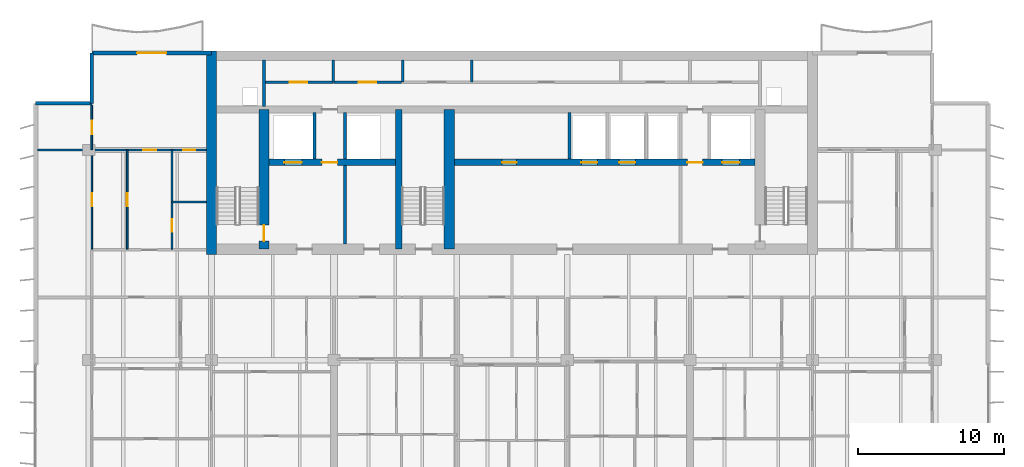
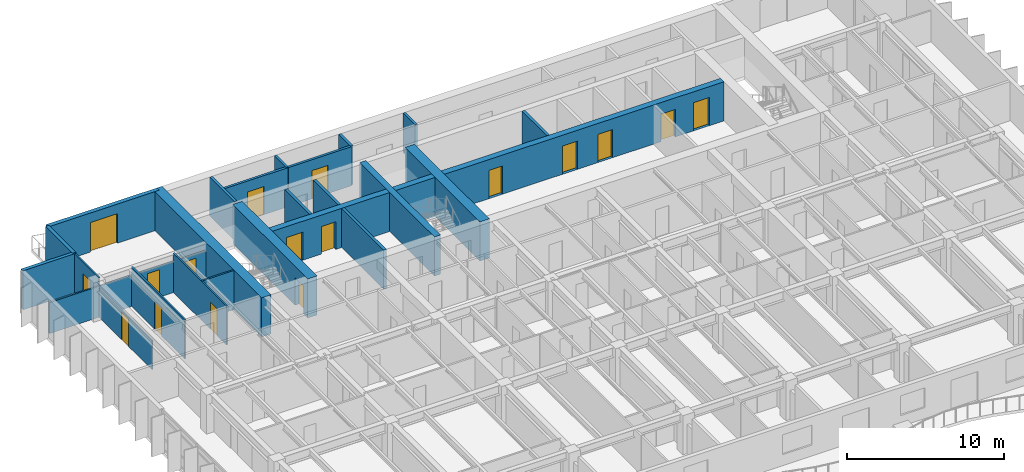
# One storey, part 13 of 19: 24 walls, 17 doors, 17 openings.
"""IFC4 building model written with IfcOpenShell, lengths in metres."""

from ifc_helpers import new_model, si_unit, direction, frame, frame_2d, origin, place, context, subcontext, project, spatial, rectangle, extrude, material, layer, layer_set, type_object, element, fill, save


model = new_model("IFC4")

# Units and contexts
model_context = context("Model", 3, precision=1e-05, world=origin(), true_north=direction((0.0, 1.0)))
body_context = subcontext(model_context, "Body", "Model", "MODEL_VIEW")
ifc_project = project(units=[si_unit("LENGTHUNIT", "METRE"), si_unit("AREAUNIT", "SQUARE_METRE"), si_unit("VOLUMEUNIT", "CUBIC_METRE"), si_unit("PLANEANGLEUNIT", "RADIAN"), si_unit("MASSUNIT", "GRAM", prefix="KILO")], contexts=[model_context])

# Site, building, storey
site_placement = place(None, origin())
site = spatial("IfcSite", under=ifc_project, at=site_placement, CompositionType="ELEMENT")
building_placement = place(site_placement, origin())
building = spatial("IfcBuilding", under=site, at=building_placement, Name="Caelmar Bay Residences", CompositionType="ELEMENT")
storey_placement = place(building_placement, frame((0.0, 0.0, 167.10009765625)))
storey = spatial("IfcBuildingStorey", under=building, at=storey_placement, Name="L46", CompositionType="ELEMENT", Elevation=167.10009765625)

# Wall
ifc_material_1 = material(Name="Concrete f'c 55 MPa (8,000 psi)", Category="concrete")
ifc_layer_1 = layer(ifc_material_1, 0.699951171875)
ifc_layer_set_1 = layer_set([ifc_layer_1], Name="Concrete f'c 55 MPa (8,000 psi)")
wall_type_1 = type_object("IfcWallType", Name="SW-COR-700", PredefinedType="SHEAR", material=ifc_layer_set_1)
wall_1_placement = place(storey_placement, frame((18.300048828125, 36.64990234375, 0.0), z_axis=(0.0, 0.0, 1.0), x_axis=(0.0, 1.0, 0.0)))
element("IfcWall", 1, at=wall_1_placement, inside=storey, type_object=wall_type_1, Name="L46 Rear Core West Shear Wall", PredefinedType="SHEAR", context=body_context, shape_type="SweptSolid", body=[
    extrude(rectangle(XDim=13.9501953125, YDim=0.699951171875, at=frame_2d((6.97509765625, 0.0))), origin(), (0.0, 0.0, 1.0), 3.0498046875),
])

# Wall, opening, door
wall_2_placement = place(storey_placement, frame((21.89990234375, 37.0, 0.0), z_axis=(0.0, 0.0, 1.0), x_axis=(0.0, 1.0, 0.0)))
wall_2 = element("IfcWall", 2, at=wall_2_placement, inside=storey, type_object=wall_type_1, Name="L46 Core Structural Web Wall ST1E", PredefinedType="SHEAR", context=body_context, shape_type="SweptSolid", body=[
    extrude(rectangle(XDim=9.574951171875, YDim=0.699951171875, at=frame_2d((4.78759765625, 0.0))), origin(), (0.0, 0.0, 1.0), 3.0498046875),
])
opening_1_placement = place(wall_2_placement, frame((0.550048828125, 0.0, 0.0)))
opening_1 = element("IfcOpeningElement", 3, at=opening_1_placement, cuts=wall_2, Name="Opening D-L46-107", PredefinedType="OPENING", context=body_context, shape_type="SweptSolid", body=[
    extrude(rectangle(XDim=1.10009765625, YDim=2.14990234375, at=frame_2d((0.550048828125, 1.074951171875))), frame((0.0, 0.35986328125, 0.0), z_axis=(0.0, -1.0, 0.0), x_axis=(1.0, 0.0, 0.0)), (0.0, 0.0, 1.0), 0.719970703125),
])
ifc_material_2 = material(Name="Fire-rated steel and walnut architectural door assembly", Category="steel")
ifc_layer_2 = layer(ifc_material_2, 0.050048828125)
ifc_layer_set_2 = layer_set([ifc_layer_2], Name="Fire-rated steel and walnut architectural door assembly")
door_type_1 = type_object("IfcDoorType", Name="D-STAIR-1100", OperationType="NOTDEFINED", PredefinedType="DOOR", material=ifc_layer_set_2)
door_1_placement = place(opening_1_placement, origin())
door_1 = element("IfcDoor", 4, at=door_1_placement, inside=storey, type_object=door_type_1, Name="L46 Firefighting Lobby West Door", OperationType="SINGLE_SWING_RIGHT", OverallHeight=2.14990234375, OverallWidth=1.10009765625, PredefinedType="DOOR", context=body_context, shape_type="SweptSolid", body=[
    extrude(rectangle(XDim=1.10009765625, YDim=2.14990234375, at=frame_2d((0.550048828125, 1.074951171875))), frame((0.0, 0.02490234375, 0.0), z_axis=(0.0, -1.0, 0.0), x_axis=(1.0, 0.0, 0.0)), (0.0, 0.0, 1.0), 0.050048828125),
])
fill(opening_1, door_1)

# Walls
wall_3_placement = place(storey_placement, frame((34.60009765625, 37.0, 0.0), z_axis=(0.0, 0.0, 1.0), x_axis=(0.0, 1.0, 0.0)))
element("IfcWall", 5, at=wall_3_placement, inside=storey, type_object=wall_type_1, Name="L46 Core Structural Web Wall ST3E", PredefinedType="SHEAR", context=body_context, shape_type="SweptSolid", body=[
    extrude(rectangle(XDim=9.574951171875, YDim=0.699951171875, at=frame_2d((4.78759765625, 0.0))), origin(), (0.0, 0.0, 1.0), 3.0498046875),
])
ifc_material_3 = material(Name="Concrete f'c 70 MPa (10,000 psi)", Category="concrete")
ifc_layer_3 = layer(ifc_material_3, 0.449951171875)
ifc_layer_set_3 = layer_set([ifc_layer_3], Name="Concrete f'c 70 MPa (10,000 psi)")
wall_type_2 = type_object("IfcWallType", Name="SW-WEB-450", PredefinedType="SHEAR", material=ifc_layer_set_3)
wall_4_placement = place(storey_placement, frame((31.125, 37.0, 0.0), z_axis=(0.0, 0.0, 1.0), x_axis=(0.0, 1.0, 0.0)))
element("IfcWall", 6, at=wall_4_placement, inside=storey, type_object=wall_type_2, Name="L46 Core Structural Web Wall ST3W", PredefinedType="SHEAR", context=body_context, shape_type="SweptSolid", body=[
    extrude(rectangle(XDim=9.574951171875, YDim=0.449951171875, at=frame_2d((4.78759765625, 0.0))), origin(), (0.0, 0.0, 1.0), 3.0498046875),
])

# Wall, openings, doors
wall_5_placement = place(storey_placement, frame((22.25, 42.949951171875, 0.0), z_axis=(0.0, 0.0, 1.0), x_axis=(1.0, 0.0, 0.0)))
wall_5 = element("IfcWall", 7, at=wall_5_placement, inside=storey, type_object=wall_type_2, Name="L46 Core Structural Web Wall LFR", PredefinedType="SHEAR", context=body_context, shape_type="SweptSolid", body=[
    extrude(rectangle(XDim=33.300048828125, YDim=0.449951171875, at=frame_2d((16.64990234375, 0.0))), origin(), (0.0, 0.0, 1.0), 3.0498046875),
])
opening_2_placement = place(wall_5_placement, frame((1.050048828125, 0.0, 0.0)))
opening_2 = element("IfcOpeningElement", 8, at=opening_2_placement, cuts=wall_5, Name="Opening LD2", PredefinedType="OPENING", context=body_context, shape_type="SweptSolid", body=[
    extrude(rectangle(XDim=1.199951171875, YDim=2.199951171875, at=frame_2d((0.60009765625, 1.10009765625))), frame((0.0, 0.23486328125, 0.0), z_axis=(0.0, -1.0, 0.0), x_axis=(1.0, 0.0, 0.0)), (0.0, 0.0, 1.0), 0.469970703125),
])
opening_3_placement = place(wall_5_placement, frame((31.050048828125, 0.0, 0.0)))
opening_3 = element("IfcOpeningElement", 9, at=opening_3_placement, cuts=wall_5, Name="Opening LD2", PredefinedType="OPENING", context=body_context, shape_type="SweptSolid", body=[
    extrude(rectangle(XDim=1.199951171875, YDim=2.199951171875, at=frame_2d((0.60009765625, 1.10009765625))), frame((0.0, 0.23486328125, 0.0), z_axis=(0.0, -1.0, 0.0), x_axis=(1.0, 0.0, 0.0)), (0.0, 0.0, 1.0), 0.469970703125),
])
opening_4_placement = place(wall_5_placement, frame((21.39990234375, 0.0, 0.0)))
opening_4 = element("IfcOpeningElement", 10, at=opening_4_placement, cuts=wall_5, Name="Opening LD1", PredefinedType="OPENING", context=body_context, shape_type="SweptSolid", body=[
    extrude(rectangle(XDim=1.10009765625, YDim=2.199951171875, at=frame_2d((0.550048828125, 1.10009765625))), frame((0.0, 0.23486328125, 0.0), z_axis=(0.0, -1.0, 0.0), x_axis=(1.0, 0.0, 0.0)), (0.0, 0.0, 1.0), 0.469970703125),
])
opening_5_placement = place(wall_5_placement, frame((24.0, 0.0, 0.0)))
opening_5 = element("IfcOpeningElement", 11, at=opening_5_placement, cuts=wall_5, Name="Opening LD1", PredefinedType="OPENING", context=body_context, shape_type="SweptSolid", body=[
    extrude(rectangle(XDim=1.10009765625, YDim=2.199951171875, at=frame_2d((0.550048828125, 1.10009765625))), frame((0.0, 0.23486328125, 0.0), z_axis=(0.0, -1.0, 0.0), x_axis=(1.0, 0.0, 0.0)), (0.0, 0.0, 1.0), 0.469970703125),
])
opening_6_placement = place(wall_5_placement, frame((3.625, 0.0, 0.0)))
opening_6 = element("IfcOpeningElement", 12, at=opening_6_placement, cuts=wall_5, Name="Opening D-L46-108", PredefinedType="OPENING", context=body_context, shape_type="SweptSolid", body=[
    extrude(rectangle(XDim=1.050048828125, YDim=2.14990234375, at=frame_2d((0.52490234375, 1.074951171875))), frame((0.0, 0.23486328125, 0.0), z_axis=(0.0, -1.0, 0.0), x_axis=(1.0, 0.0, 0.0)), (0.0, 0.0, 1.0), 0.469970703125),
])
opening_7_placement = place(wall_5_placement, frame((28.675048828125, 0.0, 0.0)))
opening_7 = element("IfcOpeningElement", 13, at=opening_7_placement, cuts=wall_5, Name="Opening D-L46-111", PredefinedType="OPENING", context=body_context, shape_type="SweptSolid", body=[
    extrude(rectangle(XDim=1.050048828125, YDim=2.14990234375, at=frame_2d((0.52490234375, 1.074951171875))), frame((0.0, 0.23486328125, 0.0), z_axis=(0.0, -1.0, 0.0), x_axis=(1.0, 0.0, 0.0)), (0.0, 0.0, 1.0), 0.469970703125),
])
opening_8_placement = place(wall_5_placement, frame((15.97509765625, 0.0, 0.0)))
opening_8 = element("IfcOpeningElement", 14, at=opening_8_placement, cuts=wall_5, Name="Opening D-L46-114", PredefinedType="OPENING", context=body_context, shape_type="SweptSolid", body=[
    extrude(rectangle(XDim=1.0, YDim=2.199951171875, at=frame_2d((0.5, 1.10009765625))), frame((0.0, 0.23486328125, 0.0), z_axis=(0.0, -1.0, 0.0), x_axis=(1.0, 0.0, 0.0)), (0.0, 0.0, 1.0), 0.469970703125),
])
ifc_layer_4 = layer(ifc_material_2, 0.050048828125)
ifc_layer_set_4 = layer_set([ifc_layer_4], Name="Fire-rated steel and walnut architectural door assembly")
door_type_2 = type_object("IfcDoorType", Name="D-FSAE-1050", OperationType="NOTDEFINED", PredefinedType="DOOR", material=ifc_layer_set_4)
door_2_placement = place(opening_6_placement, origin())
door_2 = element("IfcDoor", 15, at=door_2_placement, inside=storey, type_object=door_type_2, Name="L46 Firefighting Lobby West Door", OperationType="SINGLE_SWING_LEFT", OverallHeight=2.14990234375, OverallWidth=1.050048828125, PredefinedType="DOOR", context=body_context, shape_type="SweptSolid", body=[
    extrude(rectangle(XDim=1.050048828125, YDim=2.14990234375, at=frame_2d((0.52490234375, 1.074951171875))), frame((0.0, 0.02490234375, 0.0), z_axis=(0.0, -1.0, 0.0), x_axis=(1.0, 0.0, 0.0)), (0.0, 0.0, 1.0), 0.050048828125),
])
fill(opening_6, door_2)
door_3_placement = place(opening_7_placement, origin())
door_3 = element("IfcDoor", 16, at=door_3_placement, inside=storey, type_object=door_type_2, Name="L46 Firefighting Lobby East Door", OperationType="SINGLE_SWING_RIGHT", OverallHeight=2.14990234375, OverallWidth=1.050048828125, PredefinedType="DOOR", context=body_context, shape_type="SweptSolid", body=[
    extrude(rectangle(XDim=1.050048828125, YDim=2.14990234375, at=frame_2d((0.52490234375, 1.074951171875))), frame((0.0, 0.02490234375, 0.0), z_axis=(0.0, -1.0, 0.0), x_axis=(1.0, 0.0, 0.0)), (0.0, 0.0, 1.0), 0.050048828125),
])
fill(opening_7, door_3)
ifc_material_4 = material(Name="Brushed bronze stainless-steel fire-rated lift landing doors", Category="steel")
ifc_layer_5 = layer(ifc_material_4, 0.050048828125)
ifc_layer_set_5 = layer_set([ifc_layer_5], Name="Brushed bronze stainless-steel fire-rated lift landing doors")
door_type_3 = type_object("IfcDoorType", Name="D-LND-1100", OperationType="DOUBLE_DOOR_SLIDING", PredefinedType="DOOR", material=ifc_layer_set_5)
door_4_placement = place(opening_4_placement, origin())
door_4 = element("IfcDoor", 17, at=door_4_placement, inside=storey, type_object=door_type_3, Name="L46 LP4 Sliding Landing Door", OperationType="DOUBLE_DOOR_SLIDING", OverallHeight=2.199951171875, OverallWidth=1.10009765625, PredefinedType="DOOR", context=body_context, shape_type="SweptSolid", body=[
    extrude(rectangle(XDim=1.10009765625, YDim=2.199951171875, at=frame_2d((0.550048828125, 1.10009765625))), frame((0.0, 0.02490234375, 0.0), z_axis=(0.0, -1.0, 0.0), x_axis=(1.0, 0.0, 0.0)), (0.0, 0.0, 1.0), 0.050048828125),
])
fill(opening_4, door_4)
door_5_placement = place(opening_5_placement, origin())
door_5 = element("IfcDoor", 18, at=door_5_placement, inside=storey, type_object=door_type_3, Name="L46 LP5 Sliding Landing Door", OperationType="DOUBLE_DOOR_SLIDING", OverallHeight=2.199951171875, OverallWidth=1.10009765625, PredefinedType="DOOR", context=body_context, shape_type="SweptSolid", body=[
    extrude(rectangle(XDim=1.10009765625, YDim=2.199951171875, at=frame_2d((0.550048828125, 1.10009765625))), frame((0.0, 0.02490234375, 0.0), z_axis=(0.0, -1.0, 0.0), x_axis=(1.0, 0.0, 0.0)), (0.0, 0.0, 1.0), 0.050048828125),
])
fill(opening_5, door_5)
ifc_material_5 = material(Name="Brushed stainless-steel FSAE sliding landing door", Category="steel")
ifc_layer_6 = layer(ifc_material_5, 0.050048828125)
ifc_layer_set_6 = layer_set([ifc_layer_6], Name="Brushed stainless-steel FSAE sliding landing door")
door_type_4 = type_object("IfcDoorType", Name="D-LND-1200", OperationType="DOUBLE_DOOR_SLIDING", PredefinedType="DOOR", material=ifc_layer_set_6)
door_6_placement = place(opening_2_placement, origin())
door_6 = element("IfcDoor", 19, at=door_6_placement, inside=storey, type_object=door_type_4, Name="L46 LF1 Sliding Landing Door", OperationType="DOUBLE_DOOR_SLIDING", OverallHeight=2.199951171875, OverallWidth=1.199951171875, PredefinedType="DOOR", context=body_context, shape_type="SweptSolid", body=[
    extrude(rectangle(XDim=1.199951171875, YDim=2.199951171875, at=frame_2d((0.60009765625, 1.10009765625))), frame((0.0, 0.02490234375, 0.0), z_axis=(0.0, -1.0, 0.0), x_axis=(1.0, 0.0, 0.0)), (0.0, 0.0, 1.0), 0.050048828125),
])
fill(opening_2, door_6)
door_7_placement = place(opening_3_placement, origin())
door_7 = element("IfcDoor", 20, at=door_7_placement, inside=storey, type_object=door_type_4, Name="L46 LF2 Sliding Landing Door", OperationType="DOUBLE_DOOR_SLIDING", OverallHeight=2.199951171875, OverallWidth=1.199951171875, PredefinedType="DOOR", context=body_context, shape_type="SweptSolid", body=[
    extrude(rectangle(XDim=1.199951171875, YDim=2.199951171875, at=frame_2d((0.60009765625, 1.10009765625))), frame((0.0, 0.02490234375, 0.0), z_axis=(0.0, -1.0, 0.0), x_axis=(1.0, 0.0, 0.0)), (0.0, 0.0, 1.0), 0.050048828125),
])
fill(opening_3, door_7)
ifc_layer_7 = layer(ifc_material_2, 0.050048828125)
ifc_layer_set_7 = layer_set([ifc_layer_7], Name="Fire-rated steel and walnut architectural door assembly")
door_type_5 = type_object("IfcDoorType", Name="D-UNIT-1000", OperationType="NOTDEFINED", PredefinedType="DOOR", material=ifc_layer_set_7)
door_8_placement = place(opening_8_placement, origin())
door_8 = element("IfcDoor", 21, at=door_8_placement, inside=storey, type_object=door_type_5, Name="L46 Quiet Reading Study Door", OperationType="SINGLE_SWING_LEFT", OverallHeight=2.199951171875, OverallWidth=1.0, PredefinedType="DOOR", context=body_context, shape_type="SweptSolid", body=[
    extrude(rectangle(XDim=1.0, YDim=2.199951171875, at=frame_2d((0.5, 1.10009765625))), frame((0.0, 0.02490234375, 0.0), z_axis=(0.0, -1.0, 0.0), x_axis=(1.0, 0.0, 0.0)), (0.0, 0.0, 1.0), 0.050048828125),
])
fill(opening_8, door_8)

# Walls
ifc_material_6 = material(Name="Double-stud acoustic fire-rated gypsum partition 180 mm")
ifc_layer_8 = layer(ifc_material_6, 0.179931640625)
ifc_layer_set_8 = layer_set([ifc_layer_8], Name="Double-stud acoustic fire-rated gypsum partition 180 mm")
wall_type_3 = type_object("IfcWallType", Name="W-COR-200", PredefinedType="PARTITIONING", material=ifc_layer_set_8)
for number, where, z_axis, x_axis, name in (
    (22, (26.64990234375, 48.449951171875, 0.0), (0.0, 0.0, 1.0), (0.0, 1.0, 0.0), "L46 Partition Wall V023"),
    (23, (31.39990234375, 48.449951171875, 0.0), (0.0, 0.0, 1.0), (0.0, 1.0, 0.0), "L46 Partition Wall V034"),
    (24, (36.14990234375, 48.449951171875, 0.0), (0.0, 0.0, 1.0), (0.0, 1.0, 0.0), "L46 Partition Wall V041"),
):
    element("IfcWall", number, at=place(storey_placement, frame(where, z_axis=z_axis, x_axis=x_axis)), inside=storey, type_object=wall_type_3, Name=name, PredefinedType="PARTITIONING", context=body_context, shape_type="SweptSolid", body=[
        extrude(rectangle(XDim=1.505126953125, YDim=0.179931640625, at=frame_2d((0.75244140625, 0.0))), origin(), (0.0, 0.0, 1.0), 3.0498046875),
    ])

# Wall, opening, door
wall_6_placement = place(storey_placement, frame((21.89990234375, 48.449951171875, 0.0), z_axis=(0.0, 0.0, 1.0), x_axis=(1.0, 0.0, 0.0)))
wall_6 = element("IfcWall", 25, at=wall_6_placement, inside=storey, type_object=wall_type_3, Name="L46 Partition Wall H126", PredefinedType="PARTITIONING", context=body_context, shape_type="SweptSolid", body=[
    extrude(rectangle(XDim=4.75, YDim=0.179931640625, at=frame_2d((2.375, 0.0))), origin(), (0.0, 0.0, 1.0), 3.0498046875),
])
opening_9_placement = place(wall_6_placement, frame((1.77490234375, 0.0, 0.0)))
opening_9 = element("IfcOpeningElement", 26, at=opening_9_placement, cuts=wall_6, Name="Opening D-L46-117", PredefinedType="OPENING", context=body_context, shape_type="SweptSolid", body=[
    extrude(rectangle(XDim=1.199951171875, YDim=2.199951171875, at=frame_2d((0.60009765625, 1.10009765625))), frame((0.0, 0.099853515625, 0.0), z_axis=(0.0, -1.0, 0.0), x_axis=(1.0, 0.0, 0.0)), (0.0, 0.0, 1.0), 0.199951171875),
])
ifc_layer_9 = layer(ifc_material_2, 0.050048828125)
ifc_layer_set_9 = layer_set([ifc_layer_9], Name="Fire-rated steel and walnut architectural door assembly")
door_type_6 = type_object("IfcDoorType", Name="D-PLANT-1200", OperationType="NOTDEFINED", PredefinedType="DOOR", material=ifc_layer_set_9)
door_9_placement = place(opening_9_placement, origin())
door_9 = element("IfcDoor", 27, at=door_9_placement, inside=storey, type_object=door_type_6, Name="L46 Branch Panel Closet Door", OperationType="SINGLE_SWING_RIGHT", OverallHeight=2.199951171875, OverallWidth=1.199951171875, PredefinedType="DOOR", context=body_context, shape_type="SweptSolid", body=[
    extrude(rectangle(XDim=1.199951171875, YDim=2.199951171875, at=frame_2d((0.60009765625, 1.10009765625))), frame((0.0, 0.02490234375, 0.0), z_axis=(0.0, -1.0, 0.0), x_axis=(1.0, 0.0, 0.0)), (0.0, 0.0, 1.0), 0.050048828125),
])
fill(opening_9, door_9)

wall_7_placement = place(storey_placement, frame((26.699951171875, 48.449951171875, 0.0), z_axis=(0.0, 0.0, 1.0), x_axis=(1.0, 0.0, 0.0)))
wall_7 = element("IfcWall", 28, at=wall_7_placement, inside=storey, type_object=wall_type_3, Name="L46 Partition Wall H127", PredefinedType="PARTITIONING", context=body_context, shape_type="SweptSolid", body=[
    extrude(rectangle(XDim=4.6201171875, YDim=0.179931640625, at=frame_2d((2.31005859375, 0.0))), origin(), (0.0, 0.0, 1.0), 3.0498046875),
])
opening_10_placement = place(wall_7_placement, frame((1.7099609375, 0.0, 0.0)))
opening_10 = element("IfcOpeningElement", 29, at=opening_10_placement, cuts=wall_7, Name="Opening D-L46-118", PredefinedType="OPENING", context=body_context, shape_type="SweptSolid", body=[
    extrude(rectangle(XDim=1.199951171875, YDim=2.199951171875, at=frame_2d((0.60009765625, 1.10009765625))), frame((0.0, 0.099853515625, 0.0), z_axis=(0.0, -1.0, 0.0), x_axis=(1.0, 0.0, 0.0)), (0.0, 0.0, 1.0), 0.199951171875),
])
door_10_placement = place(opening_10_placement, origin())
door_10 = element("IfcDoor", 30, at=door_10_placement, inside=storey, type_object=door_type_6, Name="L46 Water Meter Closet Door", OperationType="SINGLE_SWING_LEFT", OverallHeight=2.199951171875, OverallWidth=1.199951171875, PredefinedType="DOOR", context=body_context, shape_type="SweptSolid", body=[
    extrude(rectangle(XDim=1.199951171875, YDim=2.199951171875, at=frame_2d((0.60009765625, 1.10009765625))), frame((0.0, 0.02490234375, 0.0), z_axis=(0.0, -1.0, 0.0), x_axis=(1.0, 0.0, 0.0)), (0.0, 0.0, 1.0), 0.050048828125),
])
fill(opening_10, door_10)

# Walls
ifc_material_7 = material(Name="Precast concrete f'c 40 MPa (6,000 psi)", Category="concrete")
ifc_layer_10 = layer(ifc_material_7, 0.25)
ifc_layer_set_10 = layer_set([ifc_layer_10], Name="Precast concrete f'c 40 MPa (6,000 psi)")
wall_type_4 = type_object("IfcWallType", Name="W-EXT-250", PredefinedType="ELEMENTEDWALL", material=ifc_layer_set_10)
wall_8_placement = place(storey_placement, frame((6.25, 47.0, 0.0), z_axis=(0.0, 0.0, 1.0), x_axis=(1.0, 0.0, 0.0)))
element("IfcWall", 31, at=wall_8_placement, inside=storey, type_object=wall_type_4, Name="L46 NNW-H Notch Wall", PredefinedType="ELEMENTEDWALL", context=body_context, shape_type="SweptSolid", body=[
    extrude(rectangle(XDim=3.85009765625, YDim=0.25, at=frame_2d((1.925048828125, 0.0))), origin(), (0.0, 0.0, 1.0), 3.0498046875),
])
wall_9_placement = place(storey_placement, frame((10.10009765625, 47.0, 0.0), z_axis=(0.0, 0.0, 1.0), x_axis=(0.0, 1.0, 0.0)))
element("IfcWall", 32, at=wall_9_placement, inside=storey, type_object=wall_type_4, Name="L46 NNW-V Notch Wall", PredefinedType="ELEMENTEDWALL", context=body_context, shape_type="SweptSolid", body=[
    extrude(rectangle(XDim=3.449951171875, YDim=0.25, at=frame_2d((1.72509765625, 0.0))), origin(), (0.0, 0.0, 1.0), 3.0498046875),
])

# Wall, opening, door
ifc_layer_11 = layer(ifc_material_7, 0.300048828125)
ifc_layer_set_11 = layer_set([ifc_layer_11], Name="Precast concrete f'c 40 MPa (6,000 psi)")
wall_type_5 = type_object("IfcWallType", Name="W-EXT-300", PredefinedType="STANDARD", material=ifc_layer_set_11)
wall_10_placement = place(storey_placement, frame((10.10009765625, 50.449951171875, 0.0), z_axis=(0.0, 0.0, 1.0), x_axis=(1.0, 0.0, 0.0)))
wall_10 = element("IfcWall", 33, at=wall_10_placement, inside=storey, type_object=wall_type_5, Name="L46 North-West Wing Exterior Wall", PredefinedType="STANDARD", context=body_context, shape_type="SweptSolid", body=[
    extrude(rectangle(XDim=8.199951171875, YDim=0.300048828125, at=frame_2d((4.10009765625, 0.0))), origin(), (0.0, 0.0, 1.0), 3.0498046875),
])
opening_11_placement = place(wall_10_placement, frame((3.10009765625, 0.0, 0.0)))
opening_11 = element("IfcOpeningElement", 34, at=opening_11_placement, cuts=wall_10, Name="Opening L46-BDNW", PredefinedType="OPENING", context=body_context, shape_type="SweptSolid", body=[
    extrude(rectangle(XDim=2.0, YDim=2.300048828125, at=frame_2d((1.0, 1.14990234375))), frame((0.0, 0.159912109375, 0.0), z_axis=(0.0, -1.0, 0.0), x_axis=(1.0, 0.0, 0.0)), (0.0, 0.0, 1.0), 0.320068359375),
])
ifc_material_8 = material(Name="Anodised bronze thermally broken sliding glass door", Category="glass")
ifc_layer_12 = layer(ifc_material_8, 0.050048828125)
ifc_layer_set_12 = layer_set([ifc_layer_12], Name="Anodised bronze thermally broken sliding glass door")
door_type_7 = type_object("IfcDoorType", Name="D-BAL-2000", OperationType="DOUBLE_DOOR_SLIDING", PredefinedType="DOOR", material=ifc_layer_set_12)
door_11_placement = place(opening_11_placement, origin())
door_11 = element("IfcDoor", 35, at=door_11_placement, inside=storey, type_object=door_type_7, Name="L46 North-West Balcony Door", OperationType="DOUBLE_DOOR_SLIDING", OverallHeight=2.300048828125, OverallWidth=2.0, PredefinedType="DOOR", context=body_context, shape_type="SweptSolid", body=[
    extrude(rectangle(XDim=2.0, YDim=2.300048828125, at=frame_2d((1.0, 1.14990234375))), frame((0.0, 0.02490234375, 0.0), z_axis=(0.0, -1.0, 0.0), x_axis=(1.0, 0.0, 0.0)), (0.0, 0.0, 1.0), 0.050048828125),
])
fill(opening_11, door_11)

# Walls
ifc_material_9 = material(Name="Fire-rated masonry and gypsum shaftliner assembly 200 mm", Category="masonry")
ifc_layer_13 = layer(ifc_material_9, 0.199951171875)
ifc_layer_set_13 = layer_set([ifc_layer_13], Name="Fire-rated masonry and gypsum shaftliner assembly 200 mm")
wall_type_6 = type_object("IfcWallType", Name="W-FSAE-200", PredefinedType="PARTITIONING", material=ifc_layer_set_13)
wall_11_placement = place(storey_placement, frame((21.89990234375, 46.794921875, 0.0), z_axis=(0.0, 0.0, 1.0), x_axis=(0.0, 1.0, 0.0)))
element("IfcWall", 36, at=wall_11_placement, inside=storey, type_object=wall_type_6, Name="L46 Partition Wall V018", PredefinedType="PARTITIONING", context=body_context, shape_type="SweptSolid", body=[
    extrude(rectangle(XDim=3.16015625, YDim=0.199951171875, at=frame_2d((1.580078125, 0.0))), origin(), (0.0, 0.0, 1.0), 3.0498046875),
])
wall_12_placement = place(storey_placement, frame((25.35009765625, 43.169921875, 0.0), z_axis=(0.0, 0.0, 1.0), x_axis=(0.0, 1.0, 0.0)))
element("IfcWall", 37, at=wall_12_placement, inside=storey, type_object=wall_type_6, Name="L46 Partition Wall V022", PredefinedType="PARTITIONING", context=body_context, shape_type="SweptSolid", body=[
    extrude(rectangle(XDim=3.18505859375, YDim=0.199951171875, at=frame_2d((1.592529296875, 0.0))), origin(), (0.0, 0.0, 1.0), 3.0498046875),
])
wall_13_placement = place(storey_placement, frame((27.449951171875, 37.344970703125, 0.0), z_axis=(0.0, 0.0, 1.0), x_axis=(0.0, 1.0, 0.0)))
element("IfcWall", 38, at=wall_13_placement, inside=storey, type_object=wall_type_6, Name="L46 Partition Wall V027", PredefinedType="PARTITIONING", context=body_context, shape_type="SweptSolid", body=[
    extrude(rectangle(XDim=5.385009765625, YDim=0.199951171875, at=frame_2d((2.6923828125, 0.0))), origin(), (0.0, 0.0, 1.0), 3.0498046875),
])
for number, where, z_axis, x_axis, name in (
    (39, (27.449951171875, 43.169921875, 0.0), (0.0, 0.0, 1.0), (0.0, 1.0, 0.0), "L46 Partition Wall V028"),
    (40, (42.85009765625, 43.169921875, 0.0), (0.0, 0.0, 1.0), (0.0, 1.0, 0.0), "L46 Partition Wall V053"),
):
    element("IfcWall", number, at=place(storey_placement, frame(where, z_axis=z_axis, x_axis=x_axis)), inside=storey, type_object=wall_type_6, Name=name, PredefinedType="PARTITIONING", context=body_context, shape_type="SweptSolid", body=[
        extrude(rectangle(XDim=3.18505859375, YDim=0.199951171875, at=frame_2d((1.592529296875, 0.0))), origin(), (0.0, 0.0, 1.0), 3.0498046875),
    ])

# Wall, opening, door
ifc_material_10 = material(Name="Anodised bronze framed acoustic sliding study partition 100 mm")
ifc_layer_14 = layer(ifc_material_10, 0.10009765625)
ifc_layer_set_14 = layer_set([ifc_layer_14], Name="Anodised bronze framed acoustic sliding study partition 100 mm")
wall_type_7 = type_object("IfcWallType", Name="W-MOV-100", PredefinedType="MOVABLE", material=ifc_layer_set_14)
wall_14_placement = place(storey_placement, frame((10.10009765625, 37.0, 0.0), z_axis=(0.0, 0.0, 1.0), x_axis=(0.0, 1.0, 0.0)))
wall_14 = element("IfcWall", 41, at=wall_14_placement, inside=storey, type_object=wall_type_7, Name="L46 Partition Wall V006", PredefinedType="MOVABLE", context=body_context, shape_type="SweptSolid", body=[
    extrude(rectangle(XDim=6.800048828125, YDim=0.10009765625, at=frame_2d((3.39990234375, 0.0))), origin(), (0.0, 0.0, 1.0), 2.262939453125),
])
opening_12_placement = place(wall_14_placement, frame((2.949951171875, 0.0, 0.0)))
opening_12 = element("IfcOpeningElement", 42, at=opening_12_placement, cuts=wall_14, Name="Opening D-L46-170", PredefinedType="OPENING", context=body_context, shape_type="SweptSolid", body=[
    extrude(rectangle(XDim=0.89990234375, YDim=2.14990234375, at=frame_2d((0.449951171875, 1.074951171875))), frame((0.0, 0.06005859375, 0.0), z_axis=(0.0, -1.0, 0.0), x_axis=(1.0, 0.0, 0.0)), (0.0, 0.0, 1.0), 0.1201171875),
])
ifc_material_11 = material(Name="Solid walnut timber interior door leaf and frame", Category="wood")
ifc_layer_15 = layer(ifc_material_11, 0.050048828125)
ifc_layer_set_15 = layer_set([ifc_layer_15], Name="Solid walnut timber interior door leaf and frame")
door_type_8 = type_object("IfcDoorType", Name="D-ROOM-900", OperationType="NOTDEFINED", PredefinedType="DOOR", material=ifc_layer_set_15)
door_12_placement = place(opening_12_placement, origin())
door_12 = element("IfcDoor", 43, at=door_12_placement, inside=storey, type_object=door_type_8, Name="L46 Residence WA Sun Study Door", OperationType="SINGLE_SWING_LEFT", OverallHeight=2.14990234375, OverallWidth=0.89990234375, PredefinedType="DOOR", context=body_context, shape_type="SweptSolid", body=[
    extrude(rectangle(XDim=0.89990234375, YDim=2.14990234375, at=frame_2d((0.449951171875, 1.074951171875))), frame((0.0, 0.02490234375, 0.0), z_axis=(0.0, -1.0, 0.0), x_axis=(1.0, 0.0, 0.0)), (0.0, 0.0, 1.0), 0.050048828125),
])
fill(opening_12, door_12)

ifc_material_12 = material(Name="Acoustic metal-stud gypsum partition 120 mm")
ifc_layer_16 = layer(ifc_material_12, 0.1201171875)
ifc_layer_set_16 = layer_set([ifc_layer_16], Name="Acoustic metal-stud gypsum partition 120 mm")
wall_type_8 = type_object("IfcWallType", Name="W-PRT-120", PredefinedType="PARTITIONING", material=ifc_layer_set_16)
wall_15_placement = place(storey_placement, frame((10.10009765625, 43.804931640625, 0.0), z_axis=(0.0, 0.0, 1.0), x_axis=(0.0, 1.0, 0.0)))
wall_15 = element("IfcWall", 44, at=wall_15_placement, inside=storey, type_object=wall_type_8, Name="L46 Partition Wall V007", PredefinedType="PARTITIONING", context=body_context, shape_type="SweptSolid", body=[
    extrude(rectangle(XDim=3.074951171875, YDim=0.1201171875, at=frame_2d((1.53759765625, 0.0))), origin(), (0.0, 0.0, 1.0), 3.0498046875),
])
opening_13_placement = place(wall_15_placement, frame((1.08740234375, 0.0, 0.0)))
opening_13 = element("IfcOpeningElement", 45, at=opening_13_placement, cuts=wall_15, Name="Opening D-L46-171", PredefinedType="OPENING", context=body_context, shape_type="SweptSolid", body=[
    extrude(rectangle(XDim=0.89990234375, YDim=2.14990234375, at=frame_2d((0.449951171875, 1.074951171875))), frame((0.0, 0.070068359375, 0.0), z_axis=(0.0, -1.0, 0.0), x_axis=(1.0, 0.0, 0.0)), (0.0, 0.0, 1.0), 0.14013671875),
])
door_13_placement = place(opening_13_placement, origin())
door_13 = element("IfcDoor", 46, at=door_13_placement, inside=storey, type_object=door_type_8, Name="L46 Residence WA North Sitting Alcove Door", OperationType="SINGLE_SWING_RIGHT", OverallHeight=2.14990234375, OverallWidth=0.89990234375, PredefinedType="DOOR", context=body_context, shape_type="SweptSolid", body=[
    extrude(rectangle(XDim=0.89990234375, YDim=2.14990234375, at=frame_2d((0.449951171875, 1.074951171875))), frame((0.0, 0.02490234375, 0.0), z_axis=(0.0, -1.0, 0.0), x_axis=(1.0, 0.0, 0.0)), (0.0, 0.0, 1.0), 0.050048828125),
])
fill(opening_13, door_13)

wall_16_placement = place(storey_placement, frame((12.52001953125, 37.0, 0.0), z_axis=(0.0, 0.0, 1.0), x_axis=(0.0, 1.0, 0.0)))
wall_16 = element("IfcWall", 47, at=wall_16_placement, inside=storey, type_object=wall_type_8, Name="L46 Partition Wall V008", PredefinedType="PARTITIONING", context=body_context, shape_type="SweptSolid", body=[
    extrude(rectangle(XDim=6.800048828125, YDim=0.1201171875, at=frame_2d((3.39990234375, 0.0))), origin(), (0.0, 0.0, 1.0), 3.0498046875),
])
opening_14_placement = place(wall_16_placement, frame((2.949951171875, 0.0, 0.0)))
opening_14 = element("IfcOpeningElement", 48, at=opening_14_placement, cuts=wall_16, Name="Opening D-L46-165", PredefinedType="OPENING", context=body_context, shape_type="SweptSolid", body=[
    extrude(rectangle(XDim=0.89990234375, YDim=2.14990234375, at=frame_2d((0.449951171875, 1.074951171875))), frame((0.0, 0.070068359375, 0.0), z_axis=(0.0, -1.0, 0.0), x_axis=(1.0, 0.0, 0.0)), (0.0, 0.0, 1.0), 0.14013671875),
])
door_14_placement = place(opening_14_placement, origin())
door_14 = element("IfcDoor", 49, at=door_14_placement, inside=storey, type_object=door_type_8, Name="L46 Residence WA Dining Room Door", OperationType="SINGLE_SWING_RIGHT", OverallHeight=2.14990234375, OverallWidth=0.89990234375, PredefinedType="DOOR", context=body_context, shape_type="SweptSolid", body=[
    extrude(rectangle(XDim=0.89990234375, YDim=2.14990234375, at=frame_2d((0.449951171875, 1.074951171875))), frame((0.0, 0.02490234375, 0.0), z_axis=(0.0, -1.0, 0.0), x_axis=(1.0, 0.0, 0.0)), (0.0, 0.0, 1.0), 0.050048828125),
])
fill(opening_14, door_14)

wall_17_placement = place(storey_placement, frame((15.60009765625, 37.0, 0.0), z_axis=(0.0, 0.0, 1.0), x_axis=(0.0, 1.0, 0.0)))
wall_17 = element("IfcWall", 50, at=wall_17_placement, inside=storey, type_object=wall_type_8, Name="L46 Partition Wall V009", PredefinedType="PARTITIONING", context=body_context, shape_type="SweptSolid", body=[
    extrude(rectangle(XDim=6.800048828125, YDim=0.1201171875, at=frame_2d((3.39990234375, 0.0))), origin(), (0.0, 0.0, 1.0), 3.0498046875),
])
opening_15_placement = place(wall_17_placement, frame((1.194091796875, 0.0, 0.0)))
opening_15 = element("IfcOpeningElement", 51, at=opening_15_placement, cuts=wall_17, Name="Opening D-L46-168", PredefinedType="OPENING", context=body_context, shape_type="SweptSolid", body=[
    extrude(rectangle(XDim=0.85009765625, YDim=2.10009765625, at=frame_2d((0.425048828125, 1.050048828125))), frame((0.0, 0.070068359375, 0.0), z_axis=(0.0, -1.0, 0.0), x_axis=(1.0, 0.0, 0.0)), (0.0, 0.0, 1.0), 0.14013671875),
])
ifc_layer_17 = layer(ifc_material_11, 0.050048828125)
ifc_layer_set_17 = layer_set([ifc_layer_17], Name="Solid walnut timber interior door leaf and frame")
door_type_9 = type_object("IfcDoorType", Name="D-BATH-850", OperationType="NOTDEFINED", PredefinedType="DOOR", material=ifc_layer_set_17)
door_15_placement = place(opening_15_placement, origin())
door_15 = element("IfcDoor", 52, at=door_15_placement, inside=storey, type_object=door_type_9, Name="L46 Residence WA Walk-In Closet Door", OperationType="SINGLE_SWING_LEFT", OverallHeight=2.10009765625, OverallWidth=0.85009765625, PredefinedType="DOOR", context=body_context, shape_type="SweptSolid", body=[
    extrude(rectangle(XDim=0.85009765625, YDim=2.10009765625, at=frame_2d((0.425048828125, 1.050048828125))), frame((0.0, 0.02490234375, 0.0), z_axis=(0.0, -1.0, 0.0), x_axis=(1.0, 0.0, 0.0)), (0.0, 0.0, 1.0), 0.050048828125),
])
fill(opening_15, door_15)

# Wall
wall_18_placement = place(storey_placement, frame((15.60009765625, 40.238037109375, 0.0), z_axis=(0.0, 0.0, 1.0), x_axis=(1.0, 0.0, 0.0)))
element("IfcWall", 53, at=wall_18_placement, inside=storey, type_object=wall_type_8, Name="L46 Partition Wall H122", PredefinedType="PARTITIONING", context=body_context, shape_type="SweptSolid", body=[
    extrude(rectangle(XDim=2.35498046875, YDim=0.1201171875, at=frame_2d((1.177490234375, 0.0))), origin(), (0.0, 0.0, 1.0), 3.0498046875),
])

# Wall, openings, doors
wall_19_placement = place(storey_placement, frame((6.39501953125, 43.800048828125, 0.0), z_axis=(0.0, 0.0, 1.0), x_axis=(1.0, 0.0, 0.0)))
wall_19 = element("IfcWall", 54, at=wall_19_placement, inside=storey, type_object=wall_type_8, Name="L46 Partition Wall H124", PredefinedType="PARTITIONING", context=body_context, shape_type="SweptSolid", body=[
    extrude(rectangle(XDim=11.56005859375, YDim=0.1201171875, at=frame_2d((5.780029296875, 0.0))), origin(), (0.0, 0.0, 1.0), 2.41796875),
])
opening_16_placement = place(wall_19_placement, frame((7.215087890625, 0.0, 0.0)))
opening_16 = element("IfcOpeningElement", 55, at=opening_16_placement, cuts=wall_19, Name="Opening D-L46-167", PredefinedType="OPENING", context=body_context, shape_type="SweptSolid", body=[
    extrude(rectangle(XDim=0.89990234375, YDim=2.14990234375, at=frame_2d((0.449951171875, 1.074951171875))), frame((0.0, 0.070068359375, 0.0), z_axis=(0.0, -1.0, 0.0), x_axis=(1.0, 0.0, 0.0)), (0.0, 0.0, 1.0), 0.14013671875),
])
opening_17_placement = place(wall_19_placement, frame((9.95751953125, 0.0, 0.0)))
opening_17 = element("IfcOpeningElement", 56, at=opening_17_placement, cuts=wall_19, Name="Opening D-L46-169", PredefinedType="OPENING", context=body_context, shape_type="SweptSolid", body=[
    extrude(rectangle(XDim=0.85009765625, YDim=2.10009765625, at=frame_2d((0.425048828125, 1.050048828125))), frame((0.0, 0.070068359375, 0.0), z_axis=(0.0, -1.0, 0.0), x_axis=(1.0, 0.0, 0.0)), (0.0, 0.0, 1.0), 0.14013671875),
])
door_16_placement = place(opening_17_placement, origin())
door_16 = element("IfcDoor", 57, at=door_16_placement, inside=storey, type_object=door_type_9, Name="L46 Residence WA Bathroom Door", OperationType="SINGLE_SWING_RIGHT", OverallHeight=2.10009765625, OverallWidth=0.85009765625, PredefinedType="DOOR", context=body_context, shape_type="SweptSolid", body=[
    extrude(rectangle(XDim=0.85009765625, YDim=2.10009765625, at=frame_2d((0.425048828125, 1.050048828125))), frame((0.0, 0.02490234375, 0.0), z_axis=(0.0, -1.0, 0.0), x_axis=(1.0, 0.0, 0.0)), (0.0, 0.0, 1.0), 0.050048828125),
])
fill(opening_17, door_16)
door_17_placement = place(opening_16_placement, origin())
door_17 = element("IfcDoor", 58, at=door_17_placement, inside=storey, type_object=door_type_8, Name="L46 Residence WA Studio Living and Sleeping Room Door", OperationType="SINGLE_SWING_RIGHT", OverallHeight=2.14990234375, OverallWidth=0.89990234375, PredefinedType="DOOR", context=body_context, shape_type="SweptSolid", body=[
    extrude(rectangle(XDim=0.89990234375, YDim=2.14990234375, at=frame_2d((0.449951171875, 1.074951171875))), frame((0.0, 0.02490234375, 0.0), z_axis=(0.0, -1.0, 0.0), x_axis=(1.0, 0.0, 0.0)), (0.0, 0.0, 1.0), 0.050048828125),
])
fill(opening_16, door_17)

save(model, "model.ifc")
